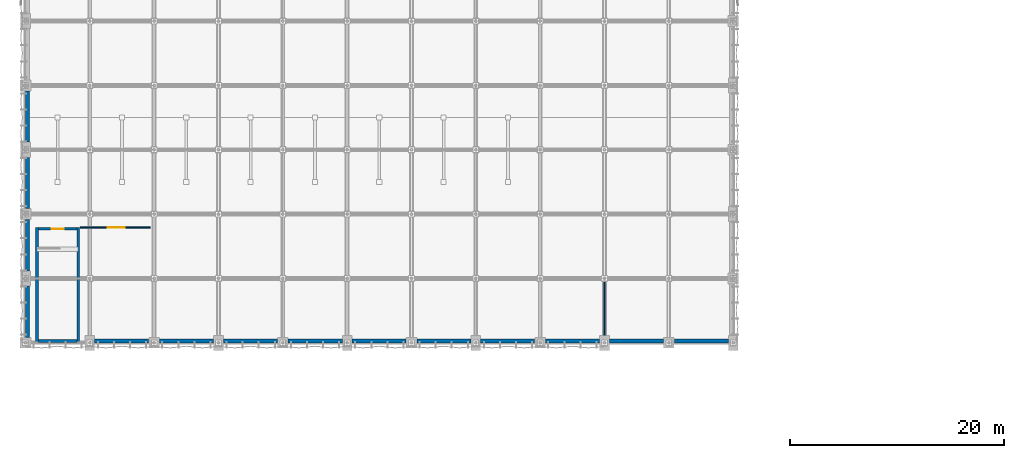
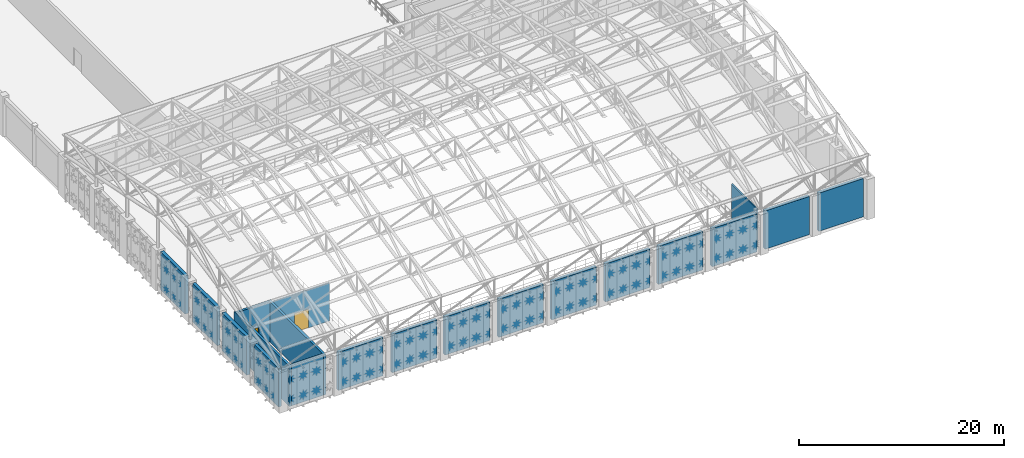
# One storey, part 91 of 112: 20 walls, 2 doors, 2 openings.
"""IFC4 building model written with IfcOpenShell, lengths in metres."""

from ifc_helpers import new_model, si_unit, direction, frame, frame_2d, origin, place, context, subcontext, project, spatial, rectangle, extrude, material, layer, layer_set, type_object, element, fill, save


model = new_model("IFC4")

# Units and contexts
model_context = context("Model", 3, precision=1e-05, world=origin(), true_north=direction((0.0, 1.0)))
body_context = subcontext(model_context, "Body", "Model", "MODEL_VIEW")
ifc_project = project(units=[si_unit("LENGTHUNIT", "METRE"), si_unit("AREAUNIT", "SQUARE_METRE"), si_unit("VOLUMEUNIT", "CUBIC_METRE"), si_unit("PLANEANGLEUNIT", "RADIAN"), si_unit("MASSUNIT", "GRAM", prefix="KILO"), si_unit("THERMODYNAMICTEMPERATUREUNIT", "KELVIN"), si_unit("POWERUNIT", "WATT")], contexts=[model_context])

# Site, building, storey
site_placement = place(None, origin())
site = spatial("IfcSite", under=ifc_project, at=site_placement, CompositionType="ELEMENT")
building_placement = place(site_placement, origin())
building = spatial("IfcBuilding", under=site, at=building_placement, Name="Phaisarnlok Congress Hotel", CompositionType="ELEMENT")
storey_placement = place(building_placement, frame((0.0, 0.0, 19.800048828125)))
storey = spatial("IfcBuildingStorey", under=building, at=storey_placement, Name="L04", CompositionType="ELEMENT", Elevation=19.800048828125)

# Walls
ifc_material_1 = material(Name="Concrete C40/50", Category="concrete")
ifc_layer_1 = layer(ifc_material_1, 0.360107421875, Name="Concrete C40/50")
ifc_layer_set_1 = layer_set([ifc_layer_1], Name="Concrete C40/50")
wall_type_1 = type_object("IfcWallType", Name="WL-EXT-360", PredefinedType="SOLIDWALL", material=ifc_layer_set_1)
for number, where, z_axis, x_axis, name in (
    (1, (0.179931640625, 65.4951171875, 0.0), (0.0, 0.0, 1.0), (0.0, -1.0, 0.0), "Exterior wall EW-01 (L04)"),
    (2, (0.179931640625, 59.294921875, 0.0), (0.0, 0.0, 1.0), (0.0, -1.0, 0.0), "Exterior wall EW-01 (L04)"),
    (3, (0.179931640625, 53.4951171875, 0.0), (0.0, 0.0, 1.0), (0.0, -1.0, 0.0), "Exterior wall EW-01 (L04)"),
    (4, (0.179931640625, 47.294921875, 0.0), (0.0, 0.0, 1.0), (0.0, -1.0, 0.0), "Exterior wall EW-01 (L04)"),
):
    element("IfcWall", number, at=place(storey_placement, frame(where, z_axis=z_axis, x_axis=x_axis)), inside=storey, type_object=wall_type_1, Name=name, PredefinedType="SOLIDWALL", context=body_context, shape_type="SweptSolid", body=[
        extrude(rectangle(XDim=4.7900390625, YDim=0.360107421875, at=frame_2d((2.39501953125, 0.0))), origin(), (0.0, 0.0, 1.0), 4.550048828125),
    ])
for number, where, z_axis, x_axis, name in (
    (5, (6.455078125, 42.179931640625, 0.0), (0.0, 0.0, 1.0), (1.0, 0.0, 0.0), "Exterior wall EW-01 (L04)"),
    (6, (12.5048828125, 42.179931640625, 0.0), (0.0, 0.0, 1.0), (1.0, 0.0, 0.0), "Exterior wall EW-01 (L04)"),
    (7, (18.455078125, 42.179931640625, 0.0), (0.0, 0.0, 1.0), (1.0, 0.0, 0.0), "Exterior wall EW-01 (L04)"),
    (8, (24.5048828125, 42.179931640625, 0.0), (0.0, 0.0, 1.0), (1.0, 0.0, 0.0), "Exterior wall EW-01 (L04)"),
    (9, (30.455078125, 42.179931640625, 0.0), (0.0, 0.0, 1.0), (1.0, 0.0, 0.0), "Exterior wall EW-01 (L04)"),
    (10, (36.5048828125, 42.179931640625, 0.0), (0.0, 0.0, 1.0), (1.0, 0.0, 0.0), "Exterior wall EW-01 (L04)"),
    (11, (42.455078125, 42.179931640625, 0.0), (0.0, 0.0, 1.0), (1.0, 0.0, 0.0), "Exterior wall EW-01 (L04)"),
    (12, (48.5048828125, 42.179931640625, 0.0), (0.0, 0.0, 1.0), (1.0, 0.0, 0.0), "Exterior wall EW-01 (L04)"),
    (13, (54.455078125, 42.179931640625, 0.0), (0.0, 0.0, 1.0), (1.0, 0.0, 0.0), "Exterior wall EW-01 (L04)"),
    (14, (60.5048828125, 42.179931640625, 0.0), (0.0, 0.0, 1.0), (1.0, 0.0, 0.0), "Exterior wall EW-01 (L04)"),
):
    element("IfcWall", number, at=place(storey_placement, frame(where, z_axis=z_axis, x_axis=x_axis)), inside=storey, type_object=wall_type_1, Name=name, PredefinedType="SOLIDWALL", context=body_context, shape_type="SweptSolid", body=[
        extrude(rectangle(XDim=5.0400390625, YDim=0.360107421875, at=frame_2d((2.52001953125, 0.0))), origin(), (0.0, 0.0, 1.0), 4.550048828125),
    ])
ifc_material_2 = material(Name="Moisture-Resistant Gypsum Partition", Category="gypsum")
ifc_layer_2 = layer(ifc_material_2, 0.135009765625, Name="Moisture-Resistant Gypsum Partition")
ifc_layer_set_2 = layer_set([ifc_layer_2], Name="Moisture-Resistant Gypsum Partition")
wall_type_2 = type_object("IfcWallType", Name="WL-INT-135", PredefinedType="PARTITIONING", material=ifc_layer_set_2)
wall_1_placement = place(storey_placement, frame((54.0, 42.705078125, 0.0), z_axis=(0.0, 0.0, 1.0), x_axis=(0.0, 1.0, 0.0)))
element("IfcWall", 15, at=wall_1_placement, inside=storey, type_object=wall_type_2, Name="Interior partition wall IW-06 (L04)", PredefinedType="PARTITIONING", context=body_context, shape_type="SweptSolid", body=[
    extrude(rectangle(XDim=4.9248046875, YDim=0.135009765625, at=frame_2d((2.46240234375, 0.0))), origin(), (0.0, 0.0, 1.0), 4.550048828125),
])

# Wall, opening, door
wall_2_placement = place(storey_placement, frame((5.1201171875, 52.75, 0.0), z_axis=(0.0, 0.0, 1.0), x_axis=(1.0, 0.0, 0.0)))
wall_2 = element("IfcWall", 16, at=wall_2_placement, inside=storey, type_object=wall_type_2, Name="Interior partition wall IW-06 (L04)", PredefinedType="PARTITIONING", context=body_context, shape_type="SweptSolid", body=[
    extrude(rectangle(XDim=6.509765625, YDim=0.135009765625, at=frame_2d((3.2548828125, 0.0))), origin(), (0.0, 0.0, 1.0), 4.550048828125),
])
opening_1_placement = place(wall_2_placement, frame((2.550048828125, 0.0, 0.0)))
opening_1 = element("IfcOpeningElement", 17, at=opening_1_placement, cuts=wall_2, Name="Opening D-0138", PredefinedType="OPENING", context=body_context, shape_type="SweptSolid", body=[
    extrude(rectangle(XDim=1.60009765625, YDim=2.25, at=frame_2d((0.800048828125, 1.125))), frame((0.0, 0.07763671875, 0.0), z_axis=(0.0, -1.0, 0.0), x_axis=(1.0, 0.0, 0.0)), (0.0, 0.0, 1.0), 0.155029296875),
])
ifc_material_3 = material(Name="Frameless Tempered Acoustic Glass", Category="glass")
door_type_1 = type_object("IfcDoorType", Name="DR-GLZ-1600", OperationType="DOUBLE_DOOR_SINGLE_SWING", PredefinedType="DOOR", material=ifc_material_3)
door_1_placement = place(opening_1_placement, origin())
door_1 = element("IfcDoor", 18, at=door_1_placement, inside=storey, type_object=door_type_1, Name="Interior door D-0138 (L04)", OperationType="DOUBLE_DOOR_SINGLE_SWING", OverallHeight=2.25, OverallWidth=1.60009765625, PredefinedType="DOOR", context=body_context, shape_type="SweptSolid", body=[
    extrude(rectangle(XDim=1.60009765625, YDim=2.25, at=frame_2d((0.800048828125, 1.125))), frame((0.0, 0.02490234375, 0.0), z_axis=(0.0, -1.0, 0.0), x_axis=(1.0, 0.0, 0.0)), (0.0, 0.0, 1.0), 0.050048828125),
])
fill(opening_1, door_1)

# Walls
ifc_material_4 = material(Name="Concrete C50/60", Category="concrete")
ifc_layer_3 = layer(ifc_material_4, 0.260009765625, Name="Concrete C50/60")
ifc_layer_set_3 = layer_set([ifc_layer_3], Name="Concrete C50/60")
wall_type_3 = type_object("IfcWallType", Name="WL-SHR-260", PredefinedType="SHEAR", material=ifc_layer_set_3)
for number, where, z_axis, x_axis, name in (
    (19, (1.070068359375, 42.0400390625, 0.0), (0.0, 0.0, 1.0), (0.0, 1.0, 0.0), "Stair shaft shear wall SW-04 (STAIR-W L04)"),
    (20, (4.929931640625, 42.0400390625, 0.0), (0.0, 0.0, 1.0), (0.0, 1.0, 0.0), "Stair shaft shear wall SW-04 (STAIR-W L04)"),
):
    element("IfcWall", number, at=place(storey_placement, frame(where, z_axis=z_axis, x_axis=x_axis)), inside=storey, type_object=wall_type_3, Name=name, PredefinedType="SHEAR", context=body_context, shape_type="SweptSolid", body=[
        extrude(rectangle(XDim=10.719970703125, YDim=0.260009765625, at=frame_2d((5.35986328125, 0.0))), origin(), (0.0, 0.0, 1.0), 4.800048828125),
    ])

# Wall, opening, door
wall_3_placement = place(storey_placement, frame((1.199951171875, 52.6298828125, 0.0), z_axis=(0.0, 0.0, 1.0), x_axis=(1.0, 0.0, 0.0)))
wall_3 = element("IfcWall", 21, at=wall_3_placement, inside=storey, type_object=wall_type_3, Name="Stair shaft shear wall SW-04 (STAIR-W L04)", PredefinedType="SHEAR", context=body_context, shape_type="SweptSolid", body=[
    extrude(rectangle(XDim=3.60009765625, YDim=0.260009765625, at=frame_2d((1.800048828125, 0.0))), origin(), (0.0, 0.0, 1.0), 4.800048828125),
])
opening_2_placement = place(wall_3_placement, frame((1.25, 0.0, 0.0)))
opening_2 = element("IfcOpeningElement", 22, at=opening_2_placement, cuts=wall_3, Name="Opening FD-169", PredefinedType="OPENING", context=body_context, shape_type="SweptSolid", body=[
    extrude(rectangle(XDim=1.10009765625, YDim=2.14990234375, at=frame_2d((0.550048828125, 1.074951171875))), frame((0.0, 0.14013671875, 0.0), z_axis=(0.0, -1.0, 0.0), x_axis=(1.0, 0.0, 0.0)), (0.0, 0.0, 1.0), 0.280029296875),
])
ifc_material_5 = material(Name="Fire-Rated Steel Frame & Timber Leaf", Category="steel")
door_type_2 = type_object("IfcDoorType", Name="DR-FD60-1100", OperationType="NOTDEFINED", PredefinedType="DOOR", material=ifc_material_5)
door_2_placement = place(opening_2_placement, origin())
door_2 = element("IfcDoor", 23, at=door_2_placement, inside=storey, type_object=door_type_2, Name="Stair enclosure fire door FD-169 (L04)", OperationType="SINGLE_SWING_RIGHT", OverallHeight=2.14990234375, OverallWidth=1.10009765625, PredefinedType="DOOR", context=body_context, shape_type="SweptSolid", body=[
    extrude(rectangle(XDim=1.10009765625, YDim=2.14990234375, at=frame_2d((0.550048828125, 1.074951171875))), frame((0.0, 0.02490234375, 0.0), z_axis=(0.0, -1.0, 0.0), x_axis=(1.0, 0.0, 0.0)), (0.0, 0.0, 1.0), 0.050048828125),
])
fill(opening_2, door_2)

# Wall
ifc_layer_4 = layer(ifc_material_4, 0.260009765625, Name="Concrete C50/60")
ifc_layer_set_4 = layer_set([ifc_layer_4], Name="Concrete C50/60")
wall_type_4 = type_object("IfcWallType", Name="WL-SHR-260-EXT", PredefinedType="SHEAR", material=ifc_layer_set_4)
wall_4_placement = place(storey_placement, frame((1.199951171875, 42.169921875, 0.0), z_axis=(0.0, 0.0, 1.0), x_axis=(1.0, 0.0, 0.0)))
element("IfcWall", 24, at=wall_4_placement, inside=storey, type_object=wall_type_4, Name="Stair shaft shear wall SW-04E (STAIR-W L04)", PredefinedType="SHEAR", context=body_context, shape_type="SweptSolid", body=[
    extrude(rectangle(XDim=3.60009765625, YDim=0.260009765625, at=frame_2d((1.800048828125, 0.0))), origin(), (0.0, 0.0, 1.0), 4.800048828125),
])

save(model, "model.ifc")
